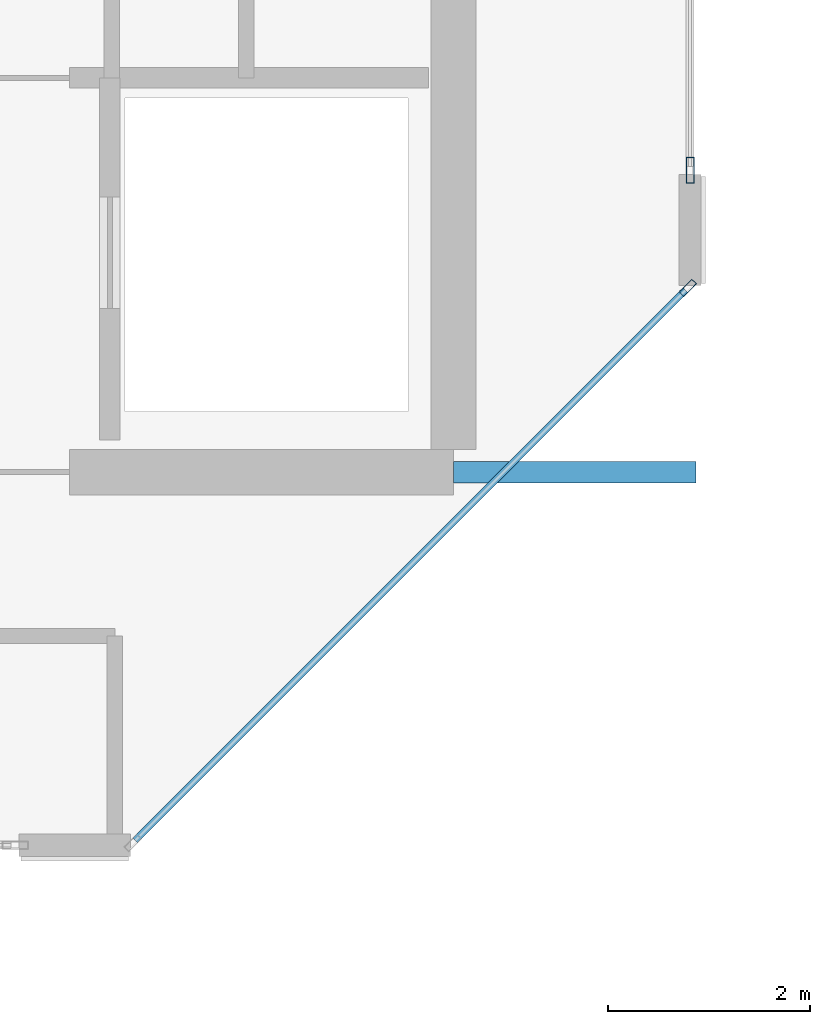
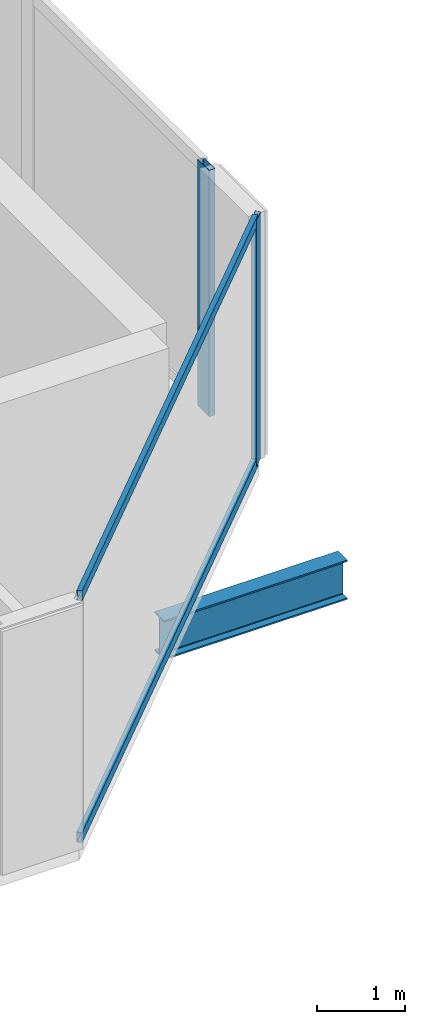
# One storey, part 3 of 30: 4 members, 1 beam, 2 elements without a shape of their own.
"""IFC4 building model written with IfcOpenShell, lengths in metres."""

from ifc_helpers import new_model, si_unit, direction, frame, origin, origin_2d, place, context, subcontext, project, spatial, hollow_rectangle, i_section, extrude, material, layer, layer_set, material_profile, profile_set, type_object, element, aggregate, save


model = new_model("IFC4")

# Units and contexts
model_context = context("Model", 3, precision=1e-05, world=origin(), true_north=direction((0.0, 1.0)))
body_context = subcontext(model_context, "Body", "Model", "MODEL_VIEW")
ifc_project = project(units=[si_unit("LENGTHUNIT", "METRE"), si_unit("AREAUNIT", "SQUARE_METRE"), si_unit("VOLUMEUNIT", "CUBIC_METRE"), si_unit("PLANEANGLEUNIT", "RADIAN"), si_unit("MASSUNIT", "GRAM", prefix="KILO")], contexts=[model_context])

# Site, building, storey
site_placement = place(None, origin())
site = spatial("IfcSite", under=ifc_project, at=site_placement, CompositionType="ELEMENT")
building_placement = place(site_placement, origin())
building = spatial("IfcBuilding", under=site, at=building_placement, Name="Tanjung Sevakor Pilgrim Tower", CompositionType="ELEMENT")
storey_placement = place(building_placement, frame((0.0, 0.0, 253.43994140625)))
storey = spatial("IfcBuildingStorey", under=building, at=storey_placement, Name="L71", CompositionType="ELEMENT", Elevation=253.43994140625)

# Beam
ifc_material_1 = material(Name="Steel S355J2", Category="steel")
ifc_material_profile_1 = material_profile(ifc_material_1, i_section(OverallWidth=0.2119140625, OverallDepth=0.54443359375, WebThickness=0.0126953125, FlangeThickness=0.021240234375, FilletRadius=0.0126953125, at=origin_2d()))
ifc_profile_set_1 = profile_set([ifc_material_profile_1], Name="Steel S355J2")
beam_type = type_object("IfcBeamType", Name="BM-B-G5-UB_533x210x122", PredefinedType="BEAM", material=ifc_profile_set_1)
beam_placement = place(storey_placement, frame((36.0, 24.60009765625, -0.4921875), z_axis=(1.0, 0.0, 0.0), x_axis=(0.0, 1.0, 0.0)))
element("IfcBeam", 1, at=beam_placement, inside=storey, type_object=beam_type, Name="L71 West Peak Cantilever Girder 1", PredefinedType="BEAM", context=body_context, shape_type="SweptSolid", body=[
    extrude(i_section(OverallWidth=0.2119140625, OverallDepth=0.54443359375, WebThickness=0.0126953125, FlangeThickness=0.021240234375, FilletRadius=0.0126953125, at=origin_2d()), origin(), (0.0, 0.0, 1.0), 2.39990234375),
])

# Curtain wall, member
ifc_material_2 = material(Name="Aluminium 6063-T6 and Low-E Glass", Category="aluminium")
ifc_layer_1 = layer(ifc_material_2, 0.179931640625)
ifc_layer_set_1 = layer_set([ifc_layer_1], Name="CW-SYS-CHAM")
curtain_wall_type_1 = type_object("IfcCurtainWallType", Name="CW-SYS-CHAM", PredefinedType="NOTDEFINED", material=ifc_layer_set_1)
curtain_wall_1_placement = place(storey_placement, origin())
curtain_wall_1 = element("IfcCurtainWall", 2, at=curtain_wall_1_placement, inside=storey, type_object=curtain_wall_type_1, Name="L71 Curtain Wall CW-CHM-L71-WEST-1", PredefinedType="NOTDEFINED")
ifc_material_3 = material(Name="Aluminium 6063-T6", Category="aluminium")
ifc_material_profile_2 = material_profile(ifc_material_3, hollow_rectangle(XDim=0.06494140625, YDim=0.179931640625, WallThickness=0.00390625, at=origin_2d()))
ifc_profile_set_2 = profile_set([ifc_material_profile_2], Name="Aluminium 6063-T6")
member_type_1 = type_object("IfcMemberType", Name="TYPE-CWM-1", PredefinedType="MULLION", material=ifc_profile_set_2)
member_1_placement = place(storey_placement, frame((38.317138671875, 26.422607421875, 0.0), z_axis=(0.0, 0.0, 1.0), x_axis=(-0.707106781187, 0.707106781187, 0.0)))
member_1 = element("IfcMember", 3, at=member_1_placement, type_object=member_type_1, Name="CW-CHM mullion 2", PredefinedType="MULLION", context=body_context, shape_type="SweptSolid", body=[
    extrude(hollow_rectangle(XDim=0.06494140625, YDim=0.179931640625, WallThickness=0.00390625, at=origin_2d()), origin(), (0.0, 0.0, 1.0), 3.41015625),
])

ifc_material_4 = material(Name="Aluminium 6063-T6 and Low-E Glass", Category="aluminium")
ifc_layer_2 = layer(ifc_material_4, 0.199951171875)
ifc_layer_set_2 = layer_set([ifc_layer_2], Name="CW-SYS-CRNW")
curtain_wall_type_2 = type_object("IfcCurtainWallType", Name="CW-SYS-CRNW", PredefinedType="NOTDEFINED", material=ifc_layer_set_2)
curtain_wall_2_placement = place(storey_placement, origin())
curtain_wall_2 = element("IfcCurtainWall", 4, at=curtain_wall_2_placement, inside=storey, type_object=curtain_wall_type_2, Name="L71 Curtain Wall CW-CRN-L71-WEST-2-1", PredefinedType="NOTDEFINED")
ifc_material_5 = material(Name="Aluminium 6063-T6", Category="aluminium")
ifc_material_profile_3 = material_profile(ifc_material_5, hollow_rectangle(XDim=0.080078125, YDim=0.260009765625, WallThickness=0.0048828125, at=origin_2d()))
ifc_profile_set_3 = profile_set([ifc_material_profile_3], Name="Aluminium 6063-T6")
member_type_2 = type_object("IfcMemberType", Name="TYPE-CWM-3", PredefinedType="MULLION", material=ifc_profile_set_3)
member_2_placement = place(storey_placement, frame((38.340087890625, 27.585693359375, 0.0), z_axis=(0.0, 0.0, 1.0), x_axis=(-1.0, 0.0, 0.0)))
member_2 = element("IfcMember", 5, at=member_2_placement, type_object=member_type_2, Name="CW-CRW mullion 1", PredefinedType="MULLION", context=body_context, shape_type="SweptSolid", body=[
    extrude(hollow_rectangle(XDim=0.080078125, YDim=0.260009765625, WallThickness=0.0048828125, at=origin_2d()), origin(), (0.0, 0.0, 1.0), 3.41015625),
])
aggregate(curtain_wall_2, [member_2])

# Member
ifc_material_6 = material(Name="Aluminium 6063-T6", Category="aluminium")
ifc_material_profile_4 = material_profile(ifc_material_6, hollow_rectangle(XDim=0.06494140625, YDim=0.139892578125, WallThickness=0.00390625, at=origin_2d()))
ifc_profile_set_4 = profile_set([ifc_material_profile_4], Name="Aluminium 6063-T6")
member_type_3 = type_object("IfcMemberType", Name="TYPE-CWT-1", PredefinedType="USERDEFINED", material=ifc_profile_set_4)
member_3_placement = place(storey_placement, frame((32.850341796875, 20.9560546875, 0.032470703125), z_axis=(0.707106781187, 0.707106781187, 0.0), x_axis=(-0.707106781187, 0.707106781187, 0.0)))
member_3 = element("IfcMember", 6, at=member_3_placement, type_object=member_type_3, Name="CW-CHM transom 1.1", ObjectType="TRANSOM", PredefinedType="USERDEFINED", context=body_context, shape_type="SweptSolid", body=[
    extrude(hollow_rectangle(XDim=0.06494140625, YDim=0.139892578125, WallThickness=0.00390625, at=origin_2d()), origin(), (0.0, 0.0, 1.0), 7.698486328125),
])

member_4_placement = place(storey_placement, frame((32.850341796875, 20.9560546875, 3.37744140625), z_axis=(0.707106781187, 0.707106781187, 0.0), x_axis=(-0.707106781187, 0.707106781187, 0.0)))
member_4 = element("IfcMember", 7, at=member_4_placement, type_object=member_type_3, Name="CW-CHM transom 1.2", ObjectType="TRANSOM", PredefinedType="USERDEFINED", context=body_context, shape_type="SweptSolid", body=[
    extrude(hollow_rectangle(XDim=0.06494140625, YDim=0.139892578125, WallThickness=0.00390625, at=origin_2d()), origin(), (0.0, 0.0, 1.0), 7.698486328125),
])

aggregate(curtain_wall_1, [member_1, member_3, member_4])

save(model, "model.ifc")
